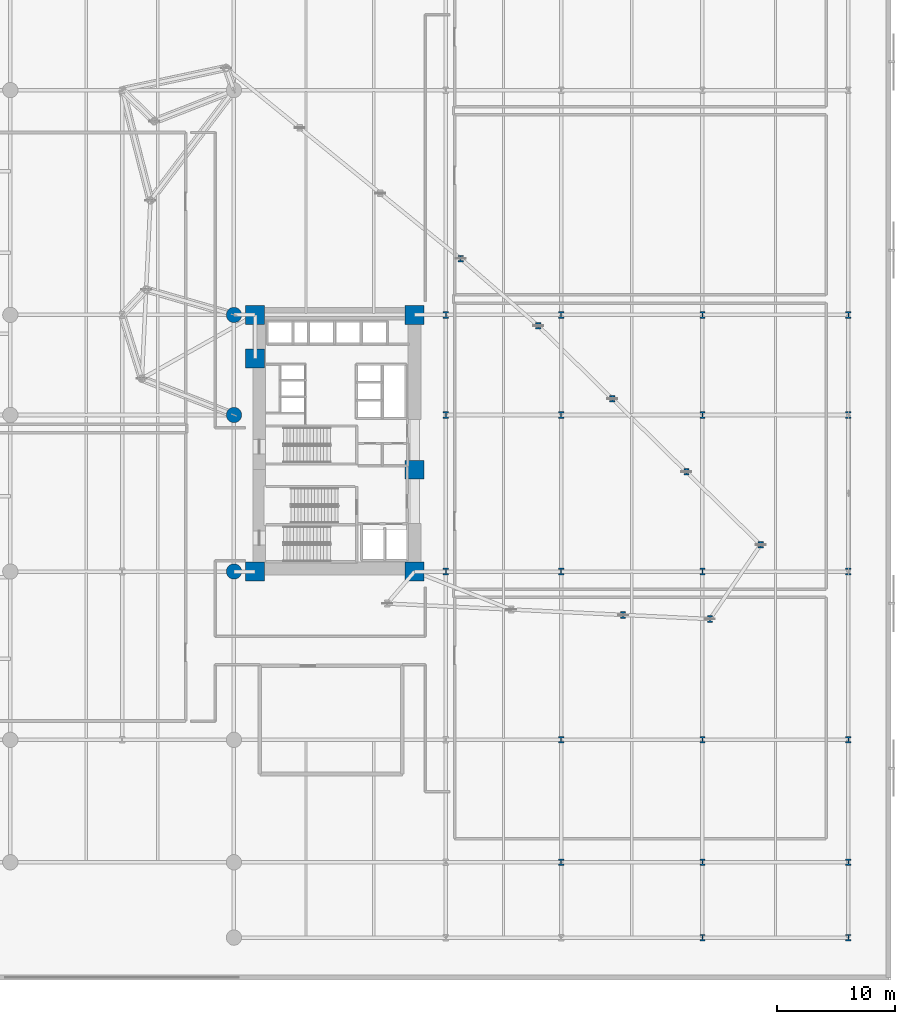
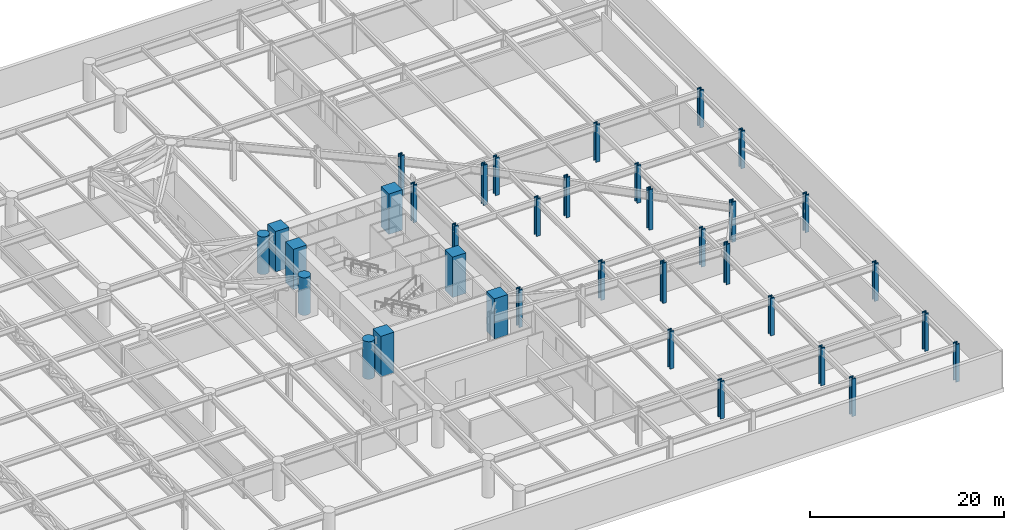
# One storey, part 2 of 40: 36 columns.
"""IFC4 building model written with IfcOpenShell, lengths in metres."""

from ifc_helpers import new_model, si_unit, direction, frame, origin, origin_2d, place, context, subcontext, project, spatial, rectangle, circle, i_section, extrude, material, material_profile, profile_set, type_object, element, save


model = new_model("IFC4")

# Units and contexts
model_context = context("Model", 3, precision=1e-05, world=origin(), true_north=direction((0.0, 1.0)))
body_context = subcontext(model_context, "Body", "Model", "MODEL_VIEW")
ifc_project = project(units=[si_unit("LENGTHUNIT", "METRE"), si_unit("AREAUNIT", "SQUARE_METRE"), si_unit("VOLUMEUNIT", "CUBIC_METRE"), si_unit("PLANEANGLEUNIT", "RADIAN"), si_unit("MASSUNIT", "GRAM", prefix="KILO")], contexts=[model_context])

# Site, building, storey
site_placement = place(None, origin())
site = spatial("IfcSite", under=ifc_project, at=site_placement, CompositionType="ELEMENT")
building_placement = place(site_placement, origin())
building = spatial("IfcBuilding", under=site, at=building_placement, Name="Narakoshi Arena Tower", CompositionType="ELEMENT")
storey_placement = place(building_placement, frame((0.0, 0.0, 21.60009765625)))
storey = spatial("IfcBuildingStorey", under=building, at=storey_placement, Name="L05", CompositionType="ELEMENT", Elevation=21.60009765625)

# Columns
ifc_material_1 = material(Name="Concrete C60/75", Category="concrete")
ifc_material_profile_1 = material_profile(ifc_material_1, circle(Radius=0.64990234375, at=origin_2d()), Name="RCC1300")
ifc_profile_set_1 = profile_set([ifc_material_profile_1], Name="Concrete C60/75")
column_type_1 = type_object("IfcColumnType", Name="COL-CIR1300", PredefinedType="PILASTER", material=ifc_profile_set_1)
for number, where, z_axis, x_axis, name in (
    (1, (70.199951171875, 34.699951171875, 0.0), (0.0, 0.0, 1.0), (1.0, 0.0, 0.0), "L05 Podium Column PC36"),
    (2, (70.199951171875, 48.0, 0.0), (0.0, 0.0, 1.0), (1.0, 0.0, 0.0), "L05 Podium Column PC37"),
    (3, (70.199951171875, 56.5, 0.0), (0.0, 0.0, 1.0), (1.0, 0.0, 0.0), "L05 Podium Column PC38"),
):
    element("IfcColumn", number, at=place(storey_placement, frame(where, z_axis=z_axis, x_axis=x_axis)), inside=storey, type_object=column_type_1, Name=name, PredefinedType="PILASTER", context=body_context, shape_type="SweptSolid", body=[
        extrude(circle(Radius=0.64990234375, at=origin_2d()), origin(), (0.0, 0.0, 1.0), 4.75),
    ])
ifc_material_profile_2 = material_profile(ifc_material_1, rectangle(XDim=1.60009765625, YDim=1.60009765625, at=origin_2d()), Name="RC1600x1600")
ifc_profile_set_2 = profile_set([ifc_material_profile_2], Name="Concrete C60/75")
column_type_2 = type_object("IfcColumnType", Name="COL-RC1600", PredefinedType="COLUMN", material=ifc_profile_set_2)
for number, where, z_axis, x_axis, name in (
    (4, (72.0, 34.699951171875, 0.0), (0.0, 0.0, 1.0), (1.0, 0.0, 0.0), "L05 Podium Column CC1"),
    (5, (85.550048828125, 34.699951171875, 0.0), (0.0, 0.0, 1.0), (1.0, 0.0, 0.0), "L05 Podium Column CC2"),
    (6, (85.550048828125, 43.35009765625, 0.0), (0.0, 0.0, 1.0), (1.0, 0.0, 0.0), "L05 Podium Column CC3"),
    (7, (72.0, 52.800048828125, 0.0), (0.0, 0.0, 1.0), (1.0, 0.0, 0.0), "L05 Podium Column CC4"),
    (8, (72.0, 56.5, 0.0), (0.0, 0.0, 1.0), (1.0, 0.0, 0.0), "L05 Podium Column CC5"),
    (9, (85.550048828125, 56.5, 0.0), (0.0, 0.0, 1.0), (1.0, 0.0, 0.0), "L05 Podium Column CC6"),
):
    element("IfcColumn", number, at=place(storey_placement, frame(where, z_axis=z_axis, x_axis=x_axis)), inside=storey, type_object=column_type_2, Name=name, PredefinedType="COLUMN", context=body_context, shape_type="SweptSolid", body=[
        extrude(rectangle(XDim=1.60009765625, YDim=1.60009765625, at=origin_2d()), origin(), (0.0, 0.0, 1.0), 5.099853515625),
    ])
ifc_material_2 = material(Name="Structural steel S355J2", Category="steel")
ifc_material_profile_3 = material_profile(ifc_material_2, i_section(OverallWidth=0.4541015625, OverallDepth=0.569091796875, WebThickness=0.077880859375, FlangeThickness=0.125, FilletRadius=0.014892578125, at=origin_2d()), Name="HD400x1086")
ifc_profile_set_3 = profile_set([ifc_material_profile_3], Name="Structural steel S355J2")
column_type_3 = type_object("IfcColumnType", Name="COL-STL1086", PredefinedType="COLUMN", material=ifc_profile_set_3)
for number, where, z_axis, x_axis, name in (
    (10, (88.199951171875, 34.699951171875, 0.0), (0.0, 0.0, 1.0), (1.0, 0.0, 0.0), "L05 Podium Column PC45"),
    (11, (88.199951171875, 48.0, 0.0), (0.0, 0.0, 1.0), (1.0, 0.0, 0.0), "L05 Podium Column PC46"),
    (12, (88.199951171875, 56.5, 0.0), (0.0, 0.0, 1.0), (1.0, 0.0, 0.0), "L05 Podium Column PC47"),
    (13, (98.0, 10.0, 0.0), (0.0, 0.0, 1.0), (1.0, 0.0, 0.0), "L05 Podium Column PC52"),
    (14, (98.0, 20.39990234375, 0.0), (0.0, 0.0, 1.0), (1.0, 0.0, 0.0), "L05 Podium Column PC53"),
    (15, (98.0, 34.699951171875, 0.0), (0.0, 0.0, 1.0), (1.0, 0.0, 0.0), "L05 Podium Column PC54"),
    (16, (98.0, 48.0, 0.0), (0.0, 0.0, 1.0), (1.0, 0.0, 0.0), "L05 Podium Column PC55"),
    (17, (98.0, 56.5, 0.0), (0.0, 0.0, 1.0), (1.0, 0.0, 0.0), "L05 Podium Column PC56"),
    (18, (110.0, 3.60009765625, 0.0), (0.0, 0.0, 1.0), (1.0, 0.0, 0.0), "L05 Podium Column PC60"),
    (19, (110.0, 10.0, 0.0), (0.0, 0.0, 1.0), (1.0, 0.0, 0.0), "L05 Podium Column PC61"),
    (20, (110.0, 20.39990234375, 0.0), (0.0, 0.0, 1.0), (1.0, 0.0, 0.0), "L05 Podium Column PC62"),
    (21, (110.0, 34.699951171875, 0.0), (0.0, 0.0, 1.0), (1.0, 0.0, 0.0), "L05 Podium Column PC63"),
    (22, (110.0, 48.0, 0.0), (0.0, 0.0, 1.0), (1.0, 0.0, 0.0), "L05 Podium Column PC64"),
    (23, (110.0, 56.5, 0.0), (0.0, 0.0, 1.0), (1.0, 0.0, 0.0), "L05 Podium Column PC65"),
    (24, (122.39990234375, 3.60009765625, 0.0), (0.0, 0.0, 1.0), (1.0, 0.0, 0.0), "L05 Podium Column PC69"),
    (25, (122.39990234375, 10.0, 0.0), (0.0, 0.0, 1.0), (1.0, 0.0, 0.0), "L05 Podium Column PC70"),
    (26, (122.39990234375, 20.39990234375, 0.0), (0.0, 0.0, 1.0), (1.0, 0.0, 0.0), "L05 Podium Column PC71"),
    (27, (122.39990234375, 34.699951171875, 0.0), (0.0, 0.0, 1.0), (1.0, 0.0, 0.0), "L05 Podium Column PC72"),
    (28, (122.39990234375, 48.0, 0.0), (0.0, 0.0, 1.0), (1.0, 0.0, 0.0), "L05 Podium Column PC73"),
    (29, (122.39990234375, 56.5, 0.0), (0.0, 0.0, 1.0), (1.0, 0.0, 0.0), "L05 Podium Column PC74"),
):
    element("IfcColumn", number, at=place(storey_placement, frame(where, z_axis=z_axis, x_axis=x_axis)), inside=storey, type_object=column_type_3, Name=name, PredefinedType="COLUMN", context=body_context, shape_type="SweptSolid", body=[
        extrude(i_section(OverallWidth=0.4541015625, OverallDepth=0.569091796875, WebThickness=0.077880859375, FlangeThickness=0.125, FilletRadius=0.014892578125, at=origin_2d()), origin(), (0.0, 0.0, 1.0), 4.75),
    ])
for number, where, z_axis, x_axis, name in (
    (30, (103.2529296875, 31.0166015625, 0.0), (0.0, 0.0, 1.0), (1.0, 0.0, 0.0), "L05 Tower Plumb Pier B1P03"),
    (31, (110.636474609375, 30.661865234375, 0.0), (0.0, 0.0, 1.0), (1.0, 0.0, 0.0), "L05 Tower Plumb Pier B1P04"),
    (32, (114.942138671875, 36.969970703125, 0.0), (0.0, 0.0, 1.0), (1.0, 0.0, 0.0), "L05 Tower Plumb Pier B1P05"),
    (33, (108.643798828125, 43.171875, 0.0), (0.0, 0.0, 1.0), (1.0, 0.0, 0.0), "L05 Tower Plumb Pier B1P06"),
    (34, (102.345458984375, 49.373779296875, 0.0), (0.0, 0.0, 1.0), (1.0, 0.0, 0.0), "L05 Tower Plumb Pier B1P07"),
    (35, (96.047119140625, 55.57568359375, 0.0), (0.0, 0.0, 1.0), (1.0, 0.0, 0.0), "L05 Tower Plumb Pier B1P08"),
    (36, (89.459716796875, 61.28515625, 0.0), (0.0, 0.0, 1.0), (1.0, 0.0, 0.0), "L05 Tower Plumb Pier B1P09"),
):
    element("IfcColumn", number, at=place(storey_placement, frame(where, z_axis=z_axis, x_axis=x_axis)), inside=storey, type_object=column_type_3, Name=name, PredefinedType="COLUMN", context=body_context, shape_type="SweptSolid", body=[
        extrude(i_section(OverallWidth=0.4541015625, OverallDepth=0.569091796875, WebThickness=0.077880859375, FlangeThickness=0.125, FilletRadius=0.014892578125, at=origin_2d()), origin(), (0.0, 0.0, 1.0), 5.099853515625),
    ])

save(model, "model.ifc")
